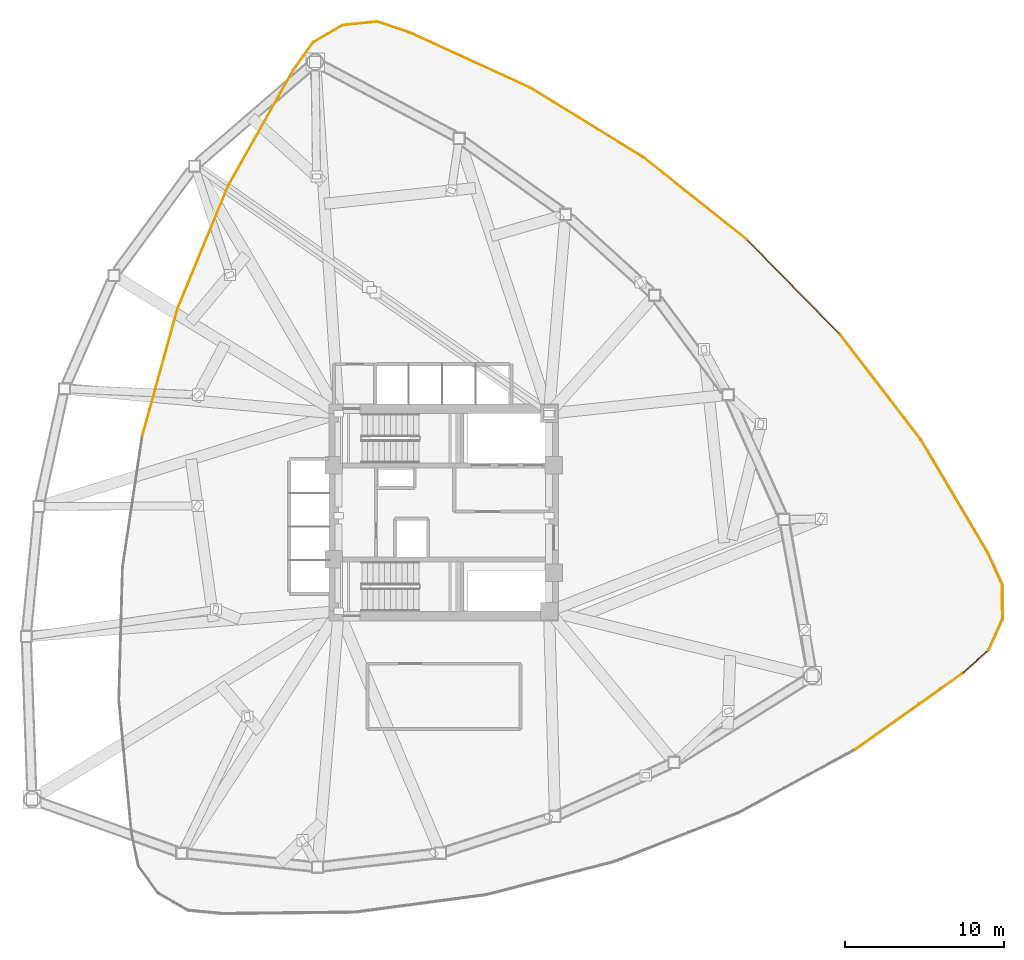
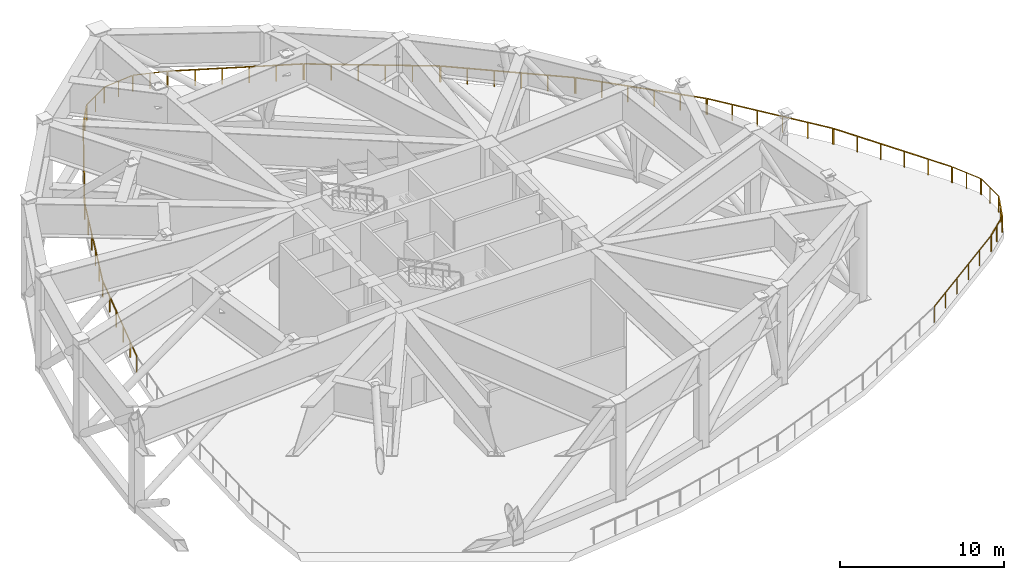
# One storey, part 8 of 8: 18 railings.
"""IFC4 building model written with IfcOpenShell, lengths in metres."""

from ifc_helpers import new_model, si_unit, direction, frame, origin, origin_2d, place, context, subcontext, project, spatial, rectangle, extrude, material, type_object, element, save


model = new_model("IFC4")

# Units and contexts
model_context = context("Model", 3, precision=1e-05, world=origin(), true_north=direction((0.0, 1.0)))
body_context = subcontext(model_context, "Body", "Model", "MODEL_VIEW")
ifc_project = project(units=[si_unit("LENGTHUNIT", "METRE"), si_unit("AREAUNIT", "SQUARE_METRE"), si_unit("VOLUMEUNIT", "CUBIC_METRE"), si_unit("PLANEANGLEUNIT", "RADIAN"), si_unit("MASSUNIT", "GRAM", prefix="KILO")], contexts=[model_context])

# Site, building, storey
site_placement = place(None, origin())
site = spatial("IfcSite", under=ifc_project, at=site_placement, CompositionType="ELEMENT")
building_placement = place(site_placement, origin())
building = spatial("IfcBuilding", under=site, at=building_placement, Name="Tavelor Broadcast Tower", CompositionType="ELEMENT")
storey_placement = place(building_placement, frame((0.0, 0.0, 102.800048828125)))
storey = spatial("IfcBuildingStorey", under=building, at=storey_placement, Name="L24", CompositionType="ELEMENT", Elevation=102.800048828125)

# Railings
ifc_material = material(Name="Steel S355", Category="steel")
railing_type = type_object("IfcRailingType", Name="Open Wind Floor Perimeter Safety Guardrail 1200 mm", PredefinedType="GUARDRAIL", material=ifc_material)
railing_1_placement = place(storey_placement, frame((47.876708984375, 75.099365234375, 0.0)))
element("IfcRailing", 1, at=railing_1_placement, inside=storey, type_object=railing_type, Name="L24 Open Wind Floor Perimeter Guardrail 01", PredefinedType="GUARDRAIL", context=body_context, shape_type="SweptSolid", body=[
    extrude(rectangle(XDim=0.048095703125, YDim=0.048095703125, at=origin_2d()), frame((0.0, 0.0, 1.17578125), z_axis=(0.909072287321, -0.416638424086, 0.0), x_axis=(0.416638424086, 0.909072287321, 0.0)), (0.0, 0.0, 1.0), 8.2587890625),
    extrude(rectangle(XDim=0.0419921875, YDim=0.0419921875, at=origin_2d()), origin(), (0.0, 0.0, 1.0), 1.15185546875),
    extrude(rectangle(XDim=0.0419921875, YDim=0.0419921875, at=origin_2d()), frame((1.50146484375, -0.688232421875, 0.0)), (0.0, 0.0, 1.0), 1.15185546875),
    extrude(rectangle(XDim=0.0419921875, YDim=0.0419921875, at=origin_2d()), frame((3.003173828125, -1.37646484375, 0.0)), (0.0, 0.0, 1.0), 1.15185546875),
    extrude(rectangle(XDim=0.0419921875, YDim=0.0419921875, at=origin_2d()), frame((4.504638671875, -2.064453125, 0.0)), (0.0, 0.0, 1.0), 1.15185546875),
    extrude(rectangle(XDim=0.0419921875, YDim=0.0419921875, at=origin_2d()), frame((6.00634765625, -2.752685546875, 0.0)), (0.0, 0.0, 1.0), 1.15185546875),
    extrude(rectangle(XDim=0.0419921875, YDim=0.0419921875, at=origin_2d()), frame((7.5078125, -3.44091796875, 0.0)), (0.0, 0.0, 1.0), 1.15185546875),
])
railing_2_placement = place(storey_placement, frame((55.437255859375, 71.630126953125, 0.0)))
element("IfcRailing", 2, at=railing_2_placement, inside=storey, type_object=railing_type, Name="L24 Open Wind Floor Perimeter Guardrail 02", PredefinedType="GUARDRAIL", context=body_context, shape_type="SweptSolid", body=[
    extrude(rectangle(XDim=0.048095703125, YDim=0.048095703125, at=origin_2d()), frame((0.0, 0.0, 1.17578125), z_axis=(0.851968787837, -0.523592574959, 0.0), x_axis=(0.523592574959, 0.851968787837, 0.0)), (0.0, 0.0, 1.0), 8.2578125),
    extrude(rectangle(XDim=0.0419921875, YDim=0.0419921875, at=origin_2d()), origin(), (0.0, 0.0, 1.0), 1.15185546875),
    extrude(rectangle(XDim=0.0419921875, YDim=0.0419921875, at=origin_2d()), frame((1.406982421875, -0.86474609375, 0.0)), (0.0, 0.0, 1.0), 1.15185546875),
    extrude(rectangle(XDim=0.0419921875, YDim=0.0419921875, at=origin_2d()), frame((2.814208984375, -1.7294921875, 0.0)), (0.0, 0.0, 1.0), 1.15185546875),
    extrude(rectangle(XDim=0.0419921875, YDim=0.0419921875, at=origin_2d()), frame((4.22119140625, -2.59423828125, 0.0)), (0.0, 0.0, 1.0), 1.15185546875),
    extrude(rectangle(XDim=0.0419921875, YDim=0.0419921875, at=origin_2d()), frame((5.62841796875, -3.458984375, 0.0)), (0.0, 0.0, 1.0), 1.15185546875),
    extrude(rectangle(XDim=0.0419921875, YDim=0.0419921875, at=origin_2d()), frame((7.035400390625, -4.32373046875, 0.0)), (0.0, 0.0, 1.0), 1.15185546875),
])
railing_3_placement = place(storey_placement, frame((62.521728515625, 67.27197265625, 0.0)))
element("IfcRailing", 3, at=railing_3_placement, inside=storey, type_object=railing_type, Name="L24 Open Wind Floor Perimeter Guardrail 03", PredefinedType="GUARDRAIL", context=body_context, shape_type="SweptSolid", body=[
    extrude(rectangle(XDim=0.048095703125, YDim=0.048095703125, at=origin_2d()), frame((0.0, 0.0, 1.17578125), z_axis=(0.782343368923, -0.622847375448, 0.0), x_axis=(0.622847375448, 0.782343368923, 0.0)), (0.0, 0.0, 1.0), 8.258056640625),
    extrude(rectangle(XDim=0.0419921875, YDim=0.0419921875, at=origin_2d()), origin(), (0.0, 0.0, 1.0), 1.15185546875),
    extrude(rectangle(XDim=0.0419921875, YDim=0.0419921875, at=origin_2d()), frame((1.292236328125, -1.02880859375, 0.0)), (0.0, 0.0, 1.0), 1.15185546875),
    extrude(rectangle(XDim=0.0419921875, YDim=0.0419921875, at=origin_2d()), frame((2.584228515625, -2.057373046875, 0.0)), (0.0, 0.0, 1.0), 1.15185546875),
    extrude(rectangle(XDim=0.0419921875, YDim=0.0419921875, at=origin_2d()), frame((3.87646484375, -3.086181640625, 0.0)), (0.0, 0.0, 1.0), 1.15185546875),
    extrude(rectangle(XDim=0.0419921875, YDim=0.0419921875, at=origin_2d()), frame((5.16845703125, -4.11474609375, 0.0)), (0.0, 0.0, 1.0), 1.15185546875),
    extrude(rectangle(XDim=0.0419921875, YDim=0.0419921875, at=origin_2d()), frame((6.460693359375, -5.1435546875, 0.0)), (0.0, 0.0, 1.0), 1.15185546875),
])
railing_4_placement = place(storey_placement, frame((69.02685546875, 62.08837890625, 0.0)))
element("IfcRailing", 4, at=railing_4_placement, inside=storey, type_object=railing_type, Name="L24 Open Wind Floor Perimeter Guardrail 04", PredefinedType="GUARDRAIL", context=body_context, shape_type="SweptSolid", body=[
    extrude(rectangle(XDim=0.048095703125, YDim=0.048095703125, at=origin_2d()), frame((0.0, 0.0, 1.17578125), z_axis=(0.70121384918, -0.712951006534, 0.0), x_axis=(0.712951006534, 0.70121384918, 0.0)), (0.0, 0.0, 1.0), 8.2578125),
    extrude(rectangle(XDim=0.0419921875, YDim=0.0419921875, at=origin_2d()), origin(), (0.0, 0.0, 1.0), 1.15185546875),
    extrude(rectangle(XDim=0.0419921875, YDim=0.0419921875, at=origin_2d()), frame((1.158203125, -1.177490234375, 0.0)), (0.0, 0.0, 1.0), 1.15185546875),
    extrude(rectangle(XDim=0.0419921875, YDim=0.0419921875, at=origin_2d()), frame((2.316162109375, -2.35498046875, 0.0)), (0.0, 0.0, 1.0), 1.15185546875),
    extrude(rectangle(XDim=0.0419921875, YDim=0.0419921875, at=origin_2d()), frame((3.474365234375, -3.532470703125, 0.0)), (0.0, 0.0, 1.0), 1.15185546875),
    extrude(rectangle(XDim=0.0419921875, YDim=0.0419921875, at=origin_2d()), frame((4.63232421875, -4.7099609375, 0.0)), (0.0, 0.0, 1.0), 1.15185546875),
    extrude(rectangle(XDim=0.0419921875, YDim=0.0419921875, at=origin_2d()), frame((5.79052734375, -5.887451171875, 0.0)), (0.0, 0.0, 1.0), 1.15185546875),
])
railing_5_placement = place(storey_placement, frame((74.856689453125, 56.15576171875, 0.0)))
element("IfcRailing", 5, at=railing_5_placement, inside=storey, type_object=railing_type, Name="L24 Open Wind Floor Perimeter Guardrail 05", PredefinedType="GUARDRAIL", context=body_context, shape_type="SweptSolid", body=[
    extrude(rectangle(XDim=0.048095703125, YDim=0.048095703125, at=origin_2d()), frame((0.0, 0.0, 1.17578125), z_axis=(0.609775054152, -0.792574528568, 0.0), x_axis=(0.792574528568, 0.609775054152, 0.0)), (0.0, 0.0, 1.0), 8.2578125),
    extrude(rectangle(XDim=0.0419921875, YDim=0.0419921875, at=origin_2d()), origin(), (0.0, 0.0, 1.0), 1.15185546875),
    extrude(rectangle(XDim=0.0419921875, YDim=0.0419921875, at=origin_2d()), frame((1.007080078125, -1.30908203125, 0.0)), (0.0, 0.0, 1.0), 1.15185546875),
    extrude(rectangle(XDim=0.0419921875, YDim=0.0419921875, at=origin_2d()), frame((2.01416015625, -2.617919921875, 0.0)), (0.0, 0.0, 1.0), 1.15185546875),
    extrude(rectangle(XDim=0.0419921875, YDim=0.0419921875, at=origin_2d()), frame((3.021240234375, -3.927001953125, 0.0)), (0.0, 0.0, 1.0), 1.15185546875),
    extrude(rectangle(XDim=0.0419921875, YDim=0.0419921875, at=origin_2d()), frame((4.0283203125, -5.23583984375, 0.0)), (0.0, 0.0, 1.0), 1.15185546875),
    extrude(rectangle(XDim=0.0419921875, YDim=0.0419921875, at=origin_2d()), frame((5.035400390625, -6.544921875, 0.0)), (0.0, 0.0, 1.0), 1.15185546875),
])
railing_6_placement = place(storey_placement, frame((79.92578125, 49.561279296875, 0.0)))
element("IfcRailing", 6, at=railing_6_placement, inside=storey, type_object=railing_type, Name="L24 Open Wind Floor Perimeter Guardrail 06", PredefinedType="GUARDRAIL", context=body_context, shape_type="SweptSolid", body=[
    extrude(rectangle(XDim=0.048095703125, YDim=0.048095703125, at=origin_2d()), frame((0.0, 0.0, 1.17578125), z_axis=(0.509400420954, -0.860529610839, 0.0), x_axis=(0.860529610839, 0.509400420954, 0.0)), (0.0, 0.0, 1.0), 8.2587890625),
    extrude(rectangle(XDim=0.0419921875, YDim=0.0419921875, at=origin_2d()), origin(), (0.0, 0.0, 1.0), 1.15185546875),
    extrude(rectangle(XDim=0.0419921875, YDim=0.0419921875, at=origin_2d()), frame((0.84130859375, -1.42138671875, 0.0)), (0.0, 0.0, 1.0), 1.15185546875),
    extrude(rectangle(XDim=0.0419921875, YDim=0.0419921875, at=origin_2d()), frame((1.682861328125, -2.8427734375, 0.0)), (0.0, 0.0, 1.0), 1.15185546875),
    extrude(rectangle(XDim=0.0419921875, YDim=0.0419921875, at=origin_2d()), frame((2.524169921875, -4.26416015625, 0.0)), (0.0, 0.0, 1.0), 1.15185546875),
    extrude(rectangle(XDim=0.0419921875, YDim=0.0419921875, at=origin_2d()), frame((3.36572265625, -5.685546875, 0.0)), (0.0, 0.0, 1.0), 1.15185546875),
    extrude(rectangle(XDim=0.0419921875, YDim=0.0419921875, at=origin_2d()), frame((4.20703125, -7.10693359375, 0.0)), (0.0, 0.0, 1.0), 1.15185546875),
])
railing_7_placement = place(storey_placement, frame((84.160400390625, 42.4013671875, 0.0)))
element("IfcRailing", 7, at=railing_7_placement, inside=storey, type_object=railing_type, Name="L24 Open Wind Floor Perimeter Guardrail 07", PredefinedType="GUARDRAIL", context=body_context, shape_type="SweptSolid", body=[
    extrude(rectangle(XDim=0.048095703125, YDim=0.048095703125, at=origin_2d()), frame((0.0, 0.0, 1.17578125), z_axis=(0.413916724843, -0.910314750455, 0.0), x_axis=(0.910314750455, 0.413916724843, 0.0)), (0.0, 0.0, 1.0), 2.1015625),
    extrude(rectangle(XDim=0.0419921875, YDim=0.0419921875, at=origin_2d()), origin(), (0.0, 0.0, 1.0), 1.15185546875),
    extrude(rectangle(XDim=0.0419921875, YDim=0.0419921875, at=origin_2d()), frame((0.43505859375, -0.95654296875, 0.0)), (0.0, 0.0, 1.0), 1.15185546875),
    extrude(rectangle(XDim=0.0419921875, YDim=0.0419921875, at=origin_2d()), frame((0.869873046875, -1.9130859375, 0.0)), (0.0, 0.0, 1.0), 1.15185546875),
])
railing_8_placement = place(storey_placement, frame((85.042724609375, 40.430908203125, 0.0)))
element("IfcRailing", 8, at=railing_8_placement, inside=storey, type_object=railing_type, Name="L24 Open Wind Floor Perimeter Guardrail 08", PredefinedType="GUARDRAIL", context=body_context, shape_type="SweptSolid", body=[
    extrude(rectangle(XDim=0.048095703125, YDim=0.048095703125, at=origin_2d()), frame((0.0, 0.0, 1.17578125), z_axis=(0.00269256809, -0.999996375032, 0.0), x_axis=(0.999996375032, 0.00269256809, 0.0)), (0.0, 0.0, 1.0), 2.08544921875),
    extrude(rectangle(XDim=0.0419921875, YDim=0.0419921875, at=origin_2d()), origin(), (0.0, 0.0, 1.0), 1.15185546875),
    extrude(rectangle(XDim=0.0419921875, YDim=0.0419921875, at=origin_2d()), frame((0.0029296875, -1.042724609375, 0.0)), (0.0, 0.0, 1.0), 1.15185546875),
    extrude(rectangle(XDim=0.0419921875, YDim=0.0419921875, at=origin_2d()), frame((0.005615234375, -2.08544921875, 0.0)), (0.0, 0.0, 1.0), 1.15185546875),
])
railing_9_placement = place(storey_placement, frame((85.0361328125, 38.2880859375, 0.0)))
element("IfcRailing", 9, at=railing_9_placement, inside=storey, type_object=railing_type, Name="L24 Open Wind Floor Perimeter Guardrail 09", PredefinedType="GUARDRAIL", context=body_context, shape_type="SweptSolid", body=[
    extrude(rectangle(XDim=0.048095703125, YDim=0.048095703125, at=origin_2d()), frame((0.0, 0.0, 1.17578125), z_axis=(-0.409123125298, -0.912479187897, 0.0), x_axis=(0.912479187897, -0.409123125298, 0.0)), (0.0, 0.0, 1.0), 2.085693359375),
    extrude(rectangle(XDim=0.0419921875, YDim=0.0419921875, at=origin_2d()), origin(), (0.0, 0.0, 1.0), 1.15185546875),
    extrude(rectangle(XDim=0.0419921875, YDim=0.0419921875, at=origin_2d()), frame((-0.4267578125, -0.95166015625, 0.0)), (0.0, 0.0, 1.0), 1.15185546875),
    extrude(rectangle(XDim=0.0419921875, YDim=0.0419921875, at=origin_2d()), frame((-0.853271484375, -1.903076171875, 0.0)), (0.0, 0.0, 1.0), 1.15185546875),
])
railing_10_placement = place(storey_placement, frame((84.148193359375, 36.337890625, 0.0)))
element("IfcRailing", 10, at=railing_10_placement, inside=storey, type_object=railing_type, Name="L24 Open Wind Floor Perimeter Guardrail 10", PredefinedType="GUARDRAIL", context=body_context, shape_type="SweptSolid", body=[
    extrude(rectangle(XDim=0.048095703125, YDim=0.048095703125, at=origin_2d()), frame((0.0, 0.0, 1.17578125), z_axis=(-0.748401983027, -0.663245408429, 0.0), x_axis=(0.663245408429, -0.748401983027, 0.0)), (0.0, 0.0, 1.0), 2.1015625),
    extrude(rectangle(XDim=0.0419921875, YDim=0.0419921875, at=origin_2d()), origin(), (0.0, 0.0, 1.0), 1.15185546875),
    extrude(rectangle(XDim=0.0419921875, YDim=0.0419921875, at=origin_2d()), frame((-0.786376953125, -0.69677734375, 0.0)), (0.0, 0.0, 1.0), 1.15185546875),
    extrude(rectangle(XDim=0.0419921875, YDim=0.0419921875, at=origin_2d()), frame((-1.57275390625, -1.393798828125, 0.0)), (0.0, 0.0, 1.0), 1.15185546875),
])
railing_11_placement = place(storey_placement, frame((82.5283203125, 34.90673828125, 0.0)))
element("IfcRailing", 11, at=railing_11_placement, inside=storey, type_object=railing_type, Name="L24 Open Wind Floor Perimeter Guardrail 11", PredefinedType="GUARDRAIL", context=body_context, shape_type="SweptSolid", body=[
    extrude(rectangle(XDim=0.048095703125, YDim=0.048095703125, at=origin_2d()), frame((0.0, 0.0, 1.17578125), z_axis=(-0.81536219151, -0.578951204037, 0.0), x_axis=(0.578951204037, -0.81536219151, 0.0)), (0.0, 0.0, 1.0), 8.258544921875),
    extrude(rectangle(XDim=0.0419921875, YDim=0.0419921875, at=origin_2d()), origin(), (0.0, 0.0, 1.0), 1.15185546875),
    extrude(rectangle(XDim=0.0419921875, YDim=0.0419921875, at=origin_2d()), frame((-1.3466796875, -0.956298828125, 0.0)), (0.0, 0.0, 1.0), 1.15185546875),
    extrude(rectangle(XDim=0.0419921875, YDim=0.0419921875, at=origin_2d()), frame((-2.693359375, -1.91259765625, 0.0)), (0.0, 0.0, 1.0), 1.15185546875),
    extrude(rectangle(XDim=0.0419921875, YDim=0.0419921875, at=origin_2d()), frame((-4.040283203125, -2.86865234375, 0.0)), (0.0, 0.0, 1.0), 1.15185546875),
    extrude(rectangle(XDim=0.0419921875, YDim=0.0419921875, at=origin_2d()), frame((-5.386962890625, -3.824951171875, 0.0)), (0.0, 0.0, 1.0), 1.15185546875),
    extrude(rectangle(XDim=0.0419921875, YDim=0.0419921875, at=origin_2d()), frame((-6.733642578125, -4.78125, 0.0)), (0.0, 0.0, 1.0), 1.15185546875),
])
railing_12_placement = place(storey_placement, frame((31.087646484375, 49.81591796875, 0.0)))
element("IfcRailing", 12, at=railing_12_placement, inside=storey, type_object=railing_type, Name="L24 Open Wind Floor Perimeter Guardrail 24", PredefinedType="GUARDRAIL", context=body_context, shape_type="SweptSolid", body=[
    extrude(rectangle(XDim=0.048095703125, YDim=0.048095703125, at=origin_2d()), frame((0.0, 0.0, 1.17578125), z_axis=(0.266820362765, 0.963746280934, 0.0), x_axis=(-0.963746280934, 0.266820362765, 0.0)), (0.0, 0.0, 1.0), 8.2578125),
    extrude(rectangle(XDim=0.0419921875, YDim=0.0419921875, at=origin_2d()), origin(), (0.0, 0.0, 1.0), 1.15185546875),
    extrude(rectangle(XDim=0.0419921875, YDim=0.0419921875, at=origin_2d()), frame((0.440673828125, 1.591796875, 0.0)), (0.0, 0.0, 1.0), 1.15185546875),
    extrude(rectangle(XDim=0.0419921875, YDim=0.0419921875, at=origin_2d()), frame((0.88134765625, 3.183349609375, 0.0)), (0.0, 0.0, 1.0), 1.15185546875),
    extrude(rectangle(XDim=0.0419921875, YDim=0.0419921875, at=origin_2d()), frame((1.322021484375, 4.775146484375, 0.0)), (0.0, 0.0, 1.0), 1.15185546875),
    extrude(rectangle(XDim=0.0419921875, YDim=0.0419921875, at=origin_2d()), frame((1.7626953125, 6.36669921875, 0.0)), (0.0, 0.0, 1.0), 1.15185546875),
    extrude(rectangle(XDim=0.0419921875, YDim=0.0419921875, at=origin_2d()), frame((2.203369140625, 7.95849609375, 0.0)), (0.0, 0.0, 1.0), 1.15185546875),
])
railing_13_placement = place(storey_placement, frame((33.310546875, 57.8310546875, 0.0)))
element("IfcRailing", 13, at=railing_13_placement, inside=storey, type_object=railing_type, Name="L24 Open Wind Floor Perimeter Guardrail 25", PredefinedType="GUARDRAIL", context=body_context, shape_type="SweptSolid", body=[
    extrude(rectangle(XDim=0.048095703125, YDim=0.048095703125, at=origin_2d()), frame((0.0, 0.0, 1.17578125), z_axis=(0.381476828385, 0.924378401633, 0.0), x_axis=(-0.924378401633, 0.381476828385, 0.0)), (0.0, 0.0, 1.0), 8.2578125),
    extrude(rectangle(XDim=0.0419921875, YDim=0.0419921875, at=origin_2d()), origin(), (0.0, 0.0, 1.0), 1.15185546875),
    extrude(rectangle(XDim=0.0419921875, YDim=0.0419921875, at=origin_2d()), frame((0.630126953125, 1.526611328125, 0.0)), (0.0, 0.0, 1.0), 1.15185546875),
    extrude(rectangle(XDim=0.0419921875, YDim=0.0419921875, at=origin_2d()), frame((1.260009765625, 3.05322265625, 0.0)), (0.0, 0.0, 1.0), 1.15185546875),
    extrude(rectangle(XDim=0.0419921875, YDim=0.0419921875, at=origin_2d()), frame((1.89013671875, 4.580078125, 0.0)), (0.0, 0.0, 1.0), 1.15185546875),
    extrude(rectangle(XDim=0.0419921875, YDim=0.0419921875, at=origin_2d()), frame((2.52001953125, 6.106689453125, 0.0)), (0.0, 0.0, 1.0), 1.15185546875),
    extrude(rectangle(XDim=0.0419921875, YDim=0.0419921875, at=origin_2d()), frame((3.150146484375, 7.63330078125, 0.0)), (0.0, 0.0, 1.0), 1.15185546875),
])
railing_14_placement = place(storey_placement, frame((36.48681640625, 65.518310546875, 0.0)))
element("IfcRailing", 14, at=railing_14_placement, inside=storey, type_object=railing_type, Name="L24 Open Wind Floor Perimeter Guardrail 26", PredefinedType="GUARDRAIL", context=body_context, shape_type="SweptSolid", body=[
    extrude(rectangle(XDim=0.048095703125, YDim=0.048095703125, at=origin_2d()), frame((0.0, 0.0, 1.17578125), z_axis=(0.490557360998, 0.871408902623, 0.0), x_axis=(-0.871408902623, 0.490557360998, 0.0)), (0.0, 0.0, 1.0), 8.258544921875),
    extrude(rectangle(XDim=0.0419921875, YDim=0.0419921875, at=origin_2d()), origin(), (0.0, 0.0, 1.0), 1.15185546875),
    extrude(rectangle(XDim=0.0419921875, YDim=0.0419921875, at=origin_2d()), frame((0.810302734375, 1.439208984375, 0.0)), (0.0, 0.0, 1.0), 1.15185546875),
    extrude(rectangle(XDim=0.0419921875, YDim=0.0419921875, at=origin_2d()), frame((1.62060546875, 2.878662109375, 0.0)), (0.0, 0.0, 1.0), 1.15185546875),
    extrude(rectangle(XDim=0.0419921875, YDim=0.0419921875, at=origin_2d()), frame((2.4306640625, 4.31787109375, 0.0)), (0.0, 0.0, 1.0), 1.15185546875),
    extrude(rectangle(XDim=0.0419921875, YDim=0.0419921875, at=origin_2d()), frame((3.240966796875, 5.75732421875, 0.0)), (0.0, 0.0, 1.0), 1.15185546875),
    extrude(rectangle(XDim=0.0419921875, YDim=0.0419921875, at=origin_2d()), frame((4.05126953125, 7.196533203125, 0.0)), (0.0, 0.0, 1.0), 1.15185546875),
])
railing_15_placement = place(storey_placement, frame((40.5703125, 72.765380859375, 0.0)))
element("IfcRailing", 15, at=railing_15_placement, inside=storey, type_object=railing_type, Name="L24 Open Wind Floor Perimeter Guardrail 27", PredefinedType="GUARDRAIL", context=body_context, shape_type="SweptSolid", body=[
    extrude(rectangle(XDim=0.048095703125, YDim=0.048095703125, at=origin_2d()), frame((0.0, 0.0, 1.17578125), z_axis=(0.581403009713, 0.813615720286, 0.0), x_axis=(-0.813615720286, 0.581403009713, 0.0)), (0.0, 0.0, 1.0), 2.1015625),
    extrude(rectangle(XDim=0.0419921875, YDim=0.0419921875, at=origin_2d()), origin(), (0.0, 0.0, 1.0), 1.15185546875),
    extrude(rectangle(XDim=0.0419921875, YDim=0.0419921875, at=origin_2d()), frame((0.61083984375, 0.85498046875, 0.0)), (0.0, 0.0, 1.0), 1.15185546875),
    extrude(rectangle(XDim=0.0419921875, YDim=0.0419921875, at=origin_2d()), frame((1.221923828125, 1.7099609375, 0.0)), (0.0, 0.0, 1.0), 1.15185546875),
])
railing_16_placement = place(storey_placement, frame((41.835693359375, 74.514892578125, 0.0)))
element("IfcRailing", 16, at=railing_16_placement, inside=storey, type_object=railing_type, Name="L24 Open Wind Floor Perimeter Guardrail 28", PredefinedType="GUARDRAIL", context=body_context, shape_type="SweptSolid", body=[
    extrude(rectangle(XDim=0.048095703125, YDim=0.048095703125, at=origin_2d()), frame((0.0, 0.0, 1.17578125), z_axis=(0.864720059781, 0.502254137078, 0.0), x_axis=(-0.502254137078, 0.864720059781, 0.0)), (0.0, 0.0, 1.0), 2.085205078125),
    extrude(rectangle(XDim=0.0419921875, YDim=0.0419921875, at=origin_2d()), origin(), (0.0, 0.0, 1.0), 1.15185546875),
    extrude(rectangle(XDim=0.0419921875, YDim=0.0419921875, at=origin_2d()), frame((0.901611328125, 0.523681640625, 0.0)), (0.0, 0.0, 1.0), 1.15185546875),
    extrude(rectangle(XDim=0.0419921875, YDim=0.0419921875, at=origin_2d()), frame((1.80322265625, 1.04736328125, 0.0)), (0.0, 0.0, 1.0), 1.15185546875),
])
railing_17_placement = place(storey_placement, frame((43.694580078125, 75.580322265625, 0.0)))
element("IfcRailing", 17, at=railing_17_placement, inside=storey, type_object=railing_type, Name="L24 Open Wind Floor Perimeter Guardrail 29", PredefinedType="GUARDRAIL", context=body_context, shape_type="SweptSolid", body=[
    extrude(rectangle(XDim=0.048095703125, YDim=0.048095703125, at=origin_2d()), frame((0.0, 0.0, 1.17578125), z_axis=(0.994788443198, 0.101960547661, 0.0), x_axis=(-0.101960547661, 0.994788443198, 0.0)), (0.0, 0.0, 1.0), 2.085693359375),
    extrude(rectangle(XDim=0.0419921875, YDim=0.0419921875, at=origin_2d()), origin(), (0.0, 0.0, 1.0), 1.15185546875),
    extrude(rectangle(XDim=0.0419921875, YDim=0.0419921875, at=origin_2d()), frame((1.037353515625, 0.1064453125, 0.0)), (0.0, 0.0, 1.0), 1.15185546875),
    extrude(rectangle(XDim=0.0419921875, YDim=0.0419921875, at=origin_2d()), frame((2.07470703125, 0.212646484375, 0.0)), (0.0, 0.0, 1.0), 1.15185546875),
])
railing_18_placement = place(storey_placement, frame((45.827392578125, 75.78662109375, 0.0)))
element("IfcRailing", 18, at=railing_18_placement, inside=storey, type_object=railing_type, Name="L24 Open Wind Floor Perimeter Guardrail 30", PredefinedType="GUARDRAIL", context=body_context, shape_type="SweptSolid", body=[
    extrude(rectangle(XDim=0.048095703125, YDim=0.048095703125, at=origin_2d()), frame((0.0, 0.0, 1.17578125), z_axis=(0.948578700427, -0.316541386072, 0.0), x_axis=(0.316541386072, 0.948578700427, 0.0)), (0.0, 0.0, 1.0), 2.101806640625),
    extrude(rectangle(XDim=0.0419921875, YDim=0.0419921875, at=origin_2d()), origin(), (0.0, 0.0, 1.0), 1.15185546875),
    extrude(rectangle(XDim=0.0419921875, YDim=0.0419921875, at=origin_2d()), frame((0.996826171875, -0.33251953125, 0.0)), (0.0, 0.0, 1.0), 1.15185546875),
    extrude(rectangle(XDim=0.0419921875, YDim=0.0419921875, at=origin_2d()), frame((1.99365234375, -0.665283203125, 0.0)), (0.0, 0.0, 1.0), 1.15185546875),
])

save(model, "model.ifc")
